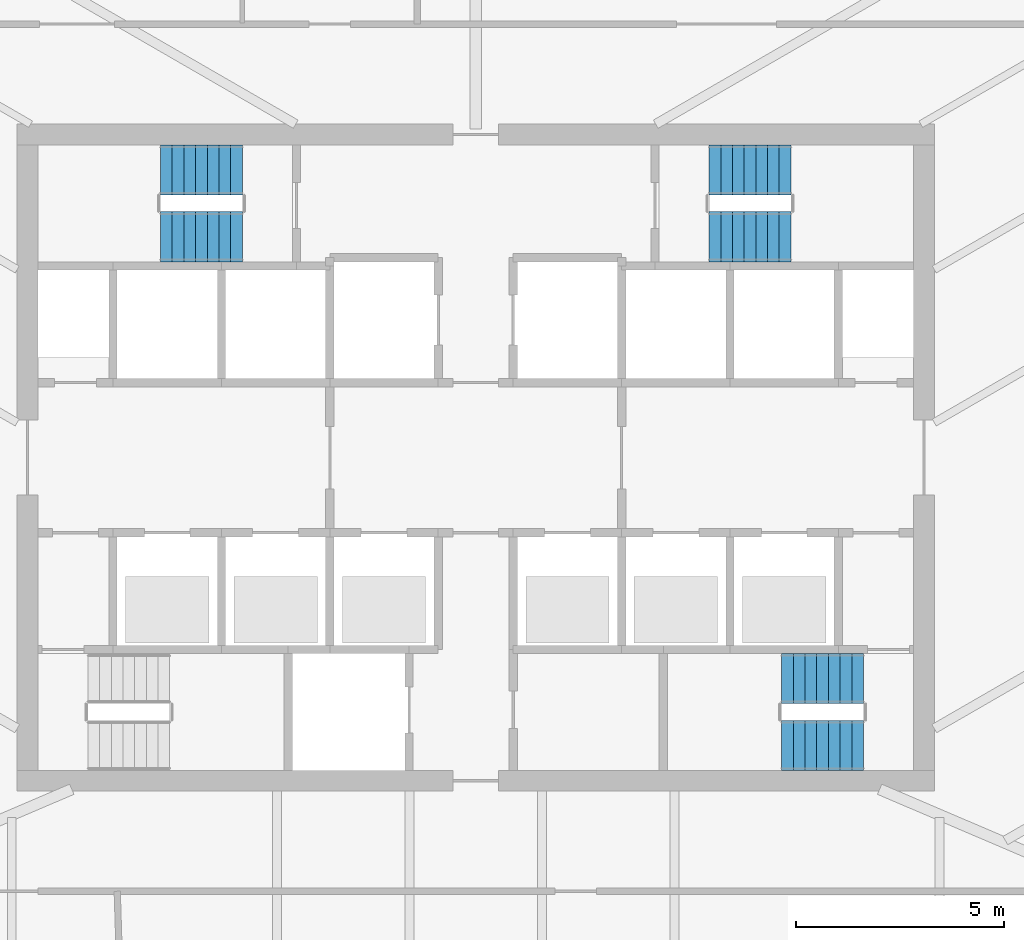
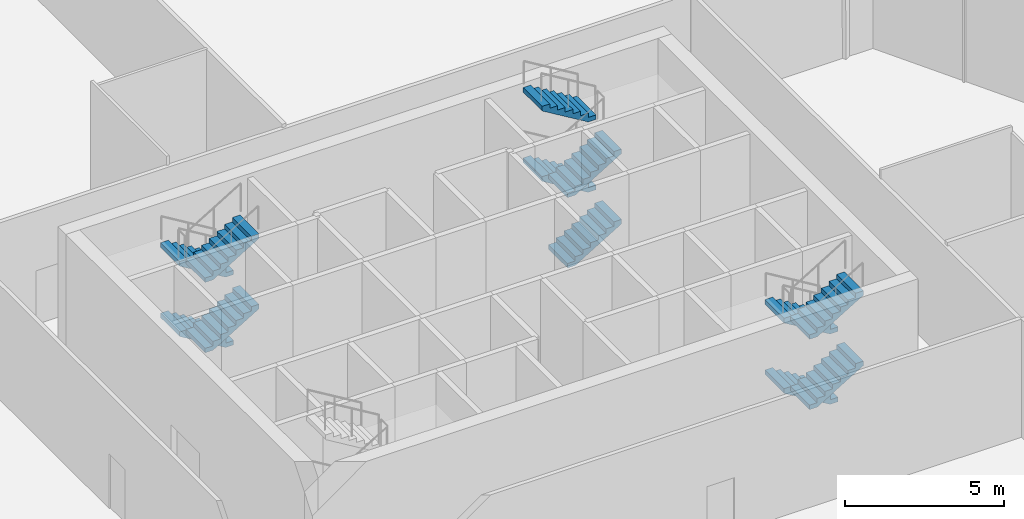
# One storey, part 12 of 16: 12 stair flights, 3 elements without a shape of their own.
"""IFC4 building model written with IfcOpenShell, lengths in metres."""

from ifc_helpers import new_model, si_unit, direction, frame, origin, place, context, subcontext, project, spatial, polyline, outline, extrude, material, type_object, element, aggregate, save


model = new_model("IFC4")

# Units and contexts
model_context = context("Model", 3, precision=1e-05, world=origin(), true_north=direction((0.0, 1.0)))
body_context = subcontext(model_context, "Body", "Model", "MODEL_VIEW")
ifc_project = project(units=[si_unit("LENGTHUNIT", "METRE"), si_unit("AREAUNIT", "SQUARE_METRE"), si_unit("VOLUMEUNIT", "CUBIC_METRE"), si_unit("PLANEANGLEUNIT", "RADIAN"), si_unit("MASSUNIT", "GRAM", prefix="KILO")], contexts=[model_context])

# Site, building, storey
site_placement = place(None, origin())
site = spatial("IfcSite", under=ifc_project, at=site_placement, CompositionType="ELEMENT")
building_placement = place(site_placement, origin())
building = spatial("IfcBuilding", under=site, at=building_placement, Name="Sierra Prisma Convention Tower", CompositionType="ELEMENT")
storey_placement = place(building_placement, frame((0.0, 0.0, 107.199951171875)))
storey = spatial("IfcBuildingStorey", under=building, at=storey_placement, Name="L23", CompositionType="ELEMENT", Elevation=107.199951171875)

# Stair, stair flights
ifc_material_1 = material(Name="Concrete C30/37", Category="concrete")
stair_type = type_object("IfcStairType", Name="Stair dog-leg 1200 RC", PredefinedType="HALF_TURN_STAIR", material=ifc_material_1)
stair_1_placement = place(storey_placement, origin())
stair_1 = element("IfcStair", 1, at=stair_1_placement, inside=storey, type_object=stair_type, Name="L23 S2", PredefinedType="HALF_TURN_STAIR")
ifc_material_2 = material(Name="Concrete C30/37", Category="concrete")
stair_flight_type = type_object("IfcStairFlightType", Name="Stair flight RC 1200", PredefinedType="STRAIGHT", material=ifc_material_2)
stair_flight_1_placement = place(storey_placement, frame((9.300048828125, -5.300048828125, 0.0), z_axis=(0.0, 0.0, 1.0), x_axis=(-1.0, 0.0, 0.0)))
stair_flight_1 = element("IfcStairFlight", 2, at=stair_flight_1_placement, type_object=stair_flight_type, Name="S2 flight 1", NumberOfRisers=8, NumberOfTreads=7, PredefinedType="STRAIGHT", RiserHeight=0.16875, TreadLength=0.28, context=body_context, shape_type="SweptSolid", body=[
    extrude(outline(polyline([(0.0, 0.0), (0.0, 0.168701171875), (0.280029296875, 0.168701171875), (0.280029296875, 0.33740234375), (0.56005859375, 0.33740234375), (0.56005859375, 0.50634765625), (0.840087890625, 0.50634765625), (0.840087890625, 0.675048828125), (1.1201171875, 0.675048828125), (1.1201171875, 0.84375), (1.39990234375, 0.84375), (1.39990234375, 1.012451171875), (1.679931640625, 1.012451171875), (1.679931640625, 1.18115234375), (1.9599609375, 1.18115234375), (1.9599609375, 1.35009765625), (1.9599609375, 1.00634765625), (0.29052734375, 0.0), (0.0, 0.0)])), frame((0.0, 0.60009765625, 0.0), z_axis=(0.0, -1.0, 0.0), x_axis=(1.0, 0.0, 0.0)), (0.0, 0.0, 1.0), 1.199951171875),
])
stair_flight_2_placement = place(storey_placement, frame((7.340087890625, -6.89990234375, 1.35009765625), z_axis=(0.0, 0.0, 1.0), x_axis=(1.0, 0.0, 0.0)))
stair_flight_2 = element("IfcStairFlight", 3, at=stair_flight_2_placement, type_object=stair_flight_type, Name="S2 flight 2", NumberOfRisers=8, NumberOfTreads=7, PredefinedType="STRAIGHT", RiserHeight=0.16875, TreadLength=0.28, context=body_context, shape_type="SweptSolid", body=[
    extrude(outline(polyline([(0.0, 0.0), (0.0, 0.168701171875), (0.280029296875, 0.168701171875), (0.280029296875, 0.33740234375), (0.56005859375, 0.33740234375), (0.56005859375, 0.50634765625), (0.840087890625, 0.50634765625), (0.840087890625, 0.675048828125), (1.1201171875, 0.675048828125), (1.1201171875, 0.84375), (1.39990234375, 0.84375), (1.39990234375, 1.012451171875), (1.679931640625, 1.012451171875), (1.679931640625, 1.18115234375), (1.9599609375, 1.18115234375), (1.9599609375, 1.35009765625), (1.9599609375, 1.00634765625), (0.29052734375, 0.0), (0.0, 0.0)])), frame((0.0, 0.60009765625, 0.0), z_axis=(0.0, -1.0, 0.0), x_axis=(1.0, 0.0, 0.0)), (0.0, 0.0, 1.0), 1.199951171875),
])
stair_flight_3_placement = place(storey_placement, frame((9.300048828125, -5.300048828125, 2.699951171875), z_axis=(0.0, 0.0, 1.0), x_axis=(-1.0, 0.0, 0.0)))
stair_flight_3 = element("IfcStairFlight", 4, at=stair_flight_3_placement, type_object=stair_flight_type, Name="S2 flight 3", NumberOfRisers=8, NumberOfTreads=7, PredefinedType="STRAIGHT", RiserHeight=0.16875, TreadLength=0.28, context=body_context, shape_type="SweptSolid", body=[
    extrude(outline(polyline([(0.0, 0.0), (0.0, 0.168701171875), (0.280029296875, 0.168701171875), (0.280029296875, 0.33740234375), (0.56005859375, 0.33740234375), (0.56005859375, 0.50634765625), (0.840087890625, 0.50634765625), (0.840087890625, 0.675048828125), (1.1201171875, 0.675048828125), (1.1201171875, 0.84375), (1.39990234375, 0.84375), (1.39990234375, 1.012451171875), (1.679931640625, 1.012451171875), (1.679931640625, 1.18115234375), (1.9599609375, 1.18115234375), (1.9599609375, 1.35009765625), (1.9599609375, 1.00634765625), (0.29052734375, 0.0), (0.0, 0.0)])), frame((0.0, 0.60009765625, 0.0), z_axis=(0.0, -1.0, 0.0), x_axis=(1.0, 0.0, 0.0)), (0.0, 0.0, 1.0), 1.199951171875),
])
stair_flight_4_placement = place(storey_placement, frame((7.340087890625, -6.89990234375, 4.050048828125), z_axis=(0.0, 0.0, 1.0), x_axis=(1.0, 0.0, 0.0)))
stair_flight_4 = element("IfcStairFlight", 5, at=stair_flight_4_placement, type_object=stair_flight_type, Name="S2 flight 4", NumberOfRisers=8, NumberOfTreads=7, PredefinedType="STRAIGHT", RiserHeight=0.16875, TreadLength=0.28, context=body_context, shape_type="SweptSolid", body=[
    extrude(outline(polyline([(0.0, 0.0), (0.0, 0.168701171875), (0.280029296875, 0.168701171875), (0.280029296875, 0.33740234375), (0.56005859375, 0.33740234375), (0.56005859375, 0.50634765625), (0.840087890625, 0.50634765625), (0.840087890625, 0.675048828125), (1.1201171875, 0.675048828125), (1.1201171875, 0.84375), (1.39990234375, 0.84375), (1.39990234375, 1.012451171875), (1.679931640625, 1.012451171875), (1.679931640625, 1.18115234375), (1.9599609375, 1.18115234375), (1.9599609375, 1.35009765625), (1.9599609375, 1.00634765625), (0.29052734375, 0.0), (0.0, 0.0)])), frame((0.0, 0.60009765625, 0.0), z_axis=(0.0, -1.0, 0.0), x_axis=(1.0, 0.0, 0.0)), (0.0, 0.0, 1.0), 1.199951171875),
])
aggregate(stair_1, [stair_flight_1, stair_flight_2, stair_flight_3, stair_flight_4])

stair_2_placement = place(storey_placement, origin())
stair_2 = element("IfcStair", 6, at=stair_2_placement, inside=storey, type_object=stair_type, Name="L23 S3", PredefinedType="HALF_TURN_STAIR")
stair_flight_5_placement = place(storey_placement, frame((-5.60009765625, 6.89990234375, 0.0), z_axis=(0.0, 0.0, 1.0), x_axis=(-1.0, 0.0, 0.0)))
stair_flight_5 = element("IfcStairFlight", 7, at=stair_flight_5_placement, type_object=stair_flight_type, Name="S3 flight 1", NumberOfRisers=8, NumberOfTreads=7, PredefinedType="STRAIGHT", RiserHeight=0.16875, TreadLength=0.28, context=body_context, shape_type="SweptSolid", body=[
    extrude(outline(polyline([(0.0, 0.0), (0.0, 0.168701171875), (0.280029296875, 0.168701171875), (0.280029296875, 0.33740234375), (0.56005859375, 0.33740234375), (0.56005859375, 0.50634765625), (0.840087890625, 0.50634765625), (0.840087890625, 0.675048828125), (1.1201171875, 0.675048828125), (1.1201171875, 0.84375), (1.39990234375, 0.84375), (1.39990234375, 1.012451171875), (1.679931640625, 1.012451171875), (1.679931640625, 1.18115234375), (1.9599609375, 1.18115234375), (1.9599609375, 1.35009765625), (1.9599609375, 1.00634765625), (0.29052734375, 0.0), (0.0, 0.0)])), frame((0.0, 0.60009765625, 0.0), z_axis=(0.0, -1.0, 0.0), x_axis=(1.0, 0.0, 0.0)), (0.0, 0.0, 1.0), 1.199951171875),
])
stair_flight_6_placement = place(storey_placement, frame((-7.56005859375, 5.300048828125, 1.35009765625), z_axis=(0.0, 0.0, 1.0), x_axis=(1.0, 0.0, 0.0)))
stair_flight_6 = element("IfcStairFlight", 8, at=stair_flight_6_placement, type_object=stair_flight_type, Name="S3 flight 2", NumberOfRisers=8, NumberOfTreads=7, PredefinedType="STRAIGHT", RiserHeight=0.16875, TreadLength=0.28, context=body_context, shape_type="SweptSolid", body=[
    extrude(outline(polyline([(0.0, 0.0), (0.0, 0.168701171875), (0.280029296875, 0.168701171875), (0.280029296875, 0.33740234375), (0.56005859375, 0.33740234375), (0.56005859375, 0.50634765625), (0.840087890625, 0.50634765625), (0.840087890625, 0.675048828125), (1.1201171875, 0.675048828125), (1.1201171875, 0.84375), (1.39990234375, 0.84375), (1.39990234375, 1.012451171875), (1.679931640625, 1.012451171875), (1.679931640625, 1.18115234375), (1.9599609375, 1.18115234375), (1.9599609375, 1.35009765625), (1.9599609375, 1.00634765625), (0.29052734375, 0.0), (0.0, 0.0)])), frame((0.0, 0.60009765625, 0.0), z_axis=(0.0, -1.0, 0.0), x_axis=(1.0, 0.0, 0.0)), (0.0, 0.0, 1.0), 1.199951171875),
])
stair_flight_7_placement = place(storey_placement, frame((-5.60009765625, 6.89990234375, 2.699951171875), z_axis=(0.0, 0.0, 1.0), x_axis=(-1.0, 0.0, 0.0)))
stair_flight_7 = element("IfcStairFlight", 9, at=stair_flight_7_placement, type_object=stair_flight_type, Name="S3 flight 3", NumberOfRisers=8, NumberOfTreads=7, PredefinedType="STRAIGHT", RiserHeight=0.16875, TreadLength=0.28, context=body_context, shape_type="SweptSolid", body=[
    extrude(outline(polyline([(0.0, 0.0), (0.0, 0.168701171875), (0.280029296875, 0.168701171875), (0.280029296875, 0.33740234375), (0.56005859375, 0.33740234375), (0.56005859375, 0.50634765625), (0.840087890625, 0.50634765625), (0.840087890625, 0.675048828125), (1.1201171875, 0.675048828125), (1.1201171875, 0.84375), (1.39990234375, 0.84375), (1.39990234375, 1.012451171875), (1.679931640625, 1.012451171875), (1.679931640625, 1.18115234375), (1.9599609375, 1.18115234375), (1.9599609375, 1.35009765625), (1.9599609375, 1.00634765625), (0.29052734375, 0.0), (0.0, 0.0)])), frame((0.0, 0.60009765625, 0.0), z_axis=(0.0, -1.0, 0.0), x_axis=(1.0, 0.0, 0.0)), (0.0, 0.0, 1.0), 1.199951171875),
])
stair_flight_8_placement = place(storey_placement, frame((-7.56005859375, 5.300048828125, 4.050048828125), z_axis=(0.0, 0.0, 1.0), x_axis=(1.0, 0.0, 0.0)))
stair_flight_8 = element("IfcStairFlight", 10, at=stair_flight_8_placement, type_object=stair_flight_type, Name="S3 flight 4", NumberOfRisers=8, NumberOfTreads=7, PredefinedType="STRAIGHT", RiserHeight=0.16875, TreadLength=0.28, context=body_context, shape_type="SweptSolid", body=[
    extrude(outline(polyline([(0.0, 0.0), (0.0, 0.168701171875), (0.280029296875, 0.168701171875), (0.280029296875, 0.33740234375), (0.56005859375, 0.33740234375), (0.56005859375, 0.50634765625), (0.840087890625, 0.50634765625), (0.840087890625, 0.675048828125), (1.1201171875, 0.675048828125), (1.1201171875, 0.84375), (1.39990234375, 0.84375), (1.39990234375, 1.012451171875), (1.679931640625, 1.012451171875), (1.679931640625, 1.18115234375), (1.9599609375, 1.18115234375), (1.9599609375, 1.35009765625), (1.9599609375, 1.00634765625), (0.29052734375, 0.0), (0.0, 0.0)])), frame((0.0, 0.60009765625, 0.0), z_axis=(0.0, -1.0, 0.0), x_axis=(1.0, 0.0, 0.0)), (0.0, 0.0, 1.0), 1.199951171875),
])
aggregate(stair_2, [stair_flight_5, stair_flight_6, stair_flight_7, stair_flight_8])

stair_3_placement = place(storey_placement, origin())
stair_3 = element("IfcStair", 11, at=stair_3_placement, inside=storey, type_object=stair_type, Name="L23 S4", PredefinedType="HALF_TURN_STAIR")
stair_flight_9_placement = place(storey_placement, frame((5.60009765625, 5.300048828125, 0.0), z_axis=(0.0, 0.0, 1.0), x_axis=(1.0, 0.0, 0.0)))
stair_flight_9 = element("IfcStairFlight", 12, at=stair_flight_9_placement, type_object=stair_flight_type, Name="S4 flight 1", NumberOfRisers=8, NumberOfTreads=7, PredefinedType="STRAIGHT", RiserHeight=0.16875, TreadLength=0.28, context=body_context, shape_type="SweptSolid", body=[
    extrude(outline(polyline([(0.0, 0.0), (0.0, 0.168701171875), (0.280029296875, 0.168701171875), (0.280029296875, 0.33740234375), (0.56005859375, 0.33740234375), (0.56005859375, 0.50634765625), (0.840087890625, 0.50634765625), (0.840087890625, 0.675048828125), (1.1201171875, 0.675048828125), (1.1201171875, 0.84375), (1.39990234375, 0.84375), (1.39990234375, 1.012451171875), (1.679931640625, 1.012451171875), (1.679931640625, 1.18115234375), (1.9599609375, 1.18115234375), (1.9599609375, 1.35009765625), (1.9599609375, 1.00634765625), (0.29052734375, 0.0), (0.0, 0.0)])), frame((0.0, 0.60009765625, 0.0), z_axis=(0.0, -1.0, 0.0), x_axis=(1.0, 0.0, 0.0)), (0.0, 0.0, 1.0), 1.199951171875),
])
stair_flight_10_placement = place(storey_placement, frame((7.56005859375, 6.89990234375, 1.35009765625), z_axis=(0.0, 0.0, 1.0), x_axis=(-1.0, 0.0, 0.0)))
stair_flight_10 = element("IfcStairFlight", 13, at=stair_flight_10_placement, type_object=stair_flight_type, Name="S4 flight 2", NumberOfRisers=8, NumberOfTreads=7, PredefinedType="STRAIGHT", RiserHeight=0.16875, TreadLength=0.28, context=body_context, shape_type="SweptSolid", body=[
    extrude(outline(polyline([(0.0, 0.0), (0.0, 0.168701171875), (0.280029296875, 0.168701171875), (0.280029296875, 0.33740234375), (0.56005859375, 0.33740234375), (0.56005859375, 0.50634765625), (0.840087890625, 0.50634765625), (0.840087890625, 0.675048828125), (1.1201171875, 0.675048828125), (1.1201171875, 0.84375), (1.39990234375, 0.84375), (1.39990234375, 1.012451171875), (1.679931640625, 1.012451171875), (1.679931640625, 1.18115234375), (1.9599609375, 1.18115234375), (1.9599609375, 1.35009765625), (1.9599609375, 1.00634765625), (0.29052734375, 0.0), (0.0, 0.0)])), frame((0.0, 0.60009765625, 0.0), z_axis=(0.0, -1.0, 0.0), x_axis=(1.0, 0.0, 0.0)), (0.0, 0.0, 1.0), 1.199951171875),
])
stair_flight_11_placement = place(storey_placement, frame((5.60009765625, 5.300048828125, 2.699951171875), z_axis=(0.0, 0.0, 1.0), x_axis=(1.0, 0.0, 0.0)))
stair_flight_11 = element("IfcStairFlight", 14, at=stair_flight_11_placement, type_object=stair_flight_type, Name="S4 flight 3", NumberOfRisers=8, NumberOfTreads=7, PredefinedType="STRAIGHT", RiserHeight=0.16875, TreadLength=0.28, context=body_context, shape_type="SweptSolid", body=[
    extrude(outline(polyline([(0.0, 0.0), (0.0, 0.168701171875), (0.280029296875, 0.168701171875), (0.280029296875, 0.33740234375), (0.56005859375, 0.33740234375), (0.56005859375, 0.50634765625), (0.840087890625, 0.50634765625), (0.840087890625, 0.675048828125), (1.1201171875, 0.675048828125), (1.1201171875, 0.84375), (1.39990234375, 0.84375), (1.39990234375, 1.012451171875), (1.679931640625, 1.012451171875), (1.679931640625, 1.18115234375), (1.9599609375, 1.18115234375), (1.9599609375, 1.35009765625), (1.9599609375, 1.00634765625), (0.29052734375, 0.0), (0.0, 0.0)])), frame((0.0, 0.60009765625, 0.0), z_axis=(0.0, -1.0, 0.0), x_axis=(1.0, 0.0, 0.0)), (0.0, 0.0, 1.0), 1.199951171875),
])
stair_flight_12_placement = place(storey_placement, frame((7.56005859375, 6.89990234375, 4.050048828125), z_axis=(0.0, 0.0, 1.0), x_axis=(-1.0, 0.0, 0.0)))
stair_flight_12 = element("IfcStairFlight", 15, at=stair_flight_12_placement, type_object=stair_flight_type, Name="S4 flight 4", NumberOfRisers=8, NumberOfTreads=7, PredefinedType="STRAIGHT", RiserHeight=0.16875, TreadLength=0.28, context=body_context, shape_type="SweptSolid", body=[
    extrude(outline(polyline([(0.0, 0.0), (0.0, 0.168701171875), (0.280029296875, 0.168701171875), (0.280029296875, 0.33740234375), (0.56005859375, 0.33740234375), (0.56005859375, 0.50634765625), (0.840087890625, 0.50634765625), (0.840087890625, 0.675048828125), (1.1201171875, 0.675048828125), (1.1201171875, 0.84375), (1.39990234375, 0.84375), (1.39990234375, 1.012451171875), (1.679931640625, 1.012451171875), (1.679931640625, 1.18115234375), (1.9599609375, 1.18115234375), (1.9599609375, 1.35009765625), (1.9599609375, 1.00634765625), (0.29052734375, 0.0), (0.0, 0.0)])), frame((0.0, 0.60009765625, 0.0), z_axis=(0.0, -1.0, 0.0), x_axis=(1.0, 0.0, 0.0)), (0.0, 0.0, 1.0), 1.199951171875),
])
aggregate(stair_3, [stair_flight_9, stair_flight_10, stair_flight_11, stair_flight_12])

save(model, "model.ifc")
